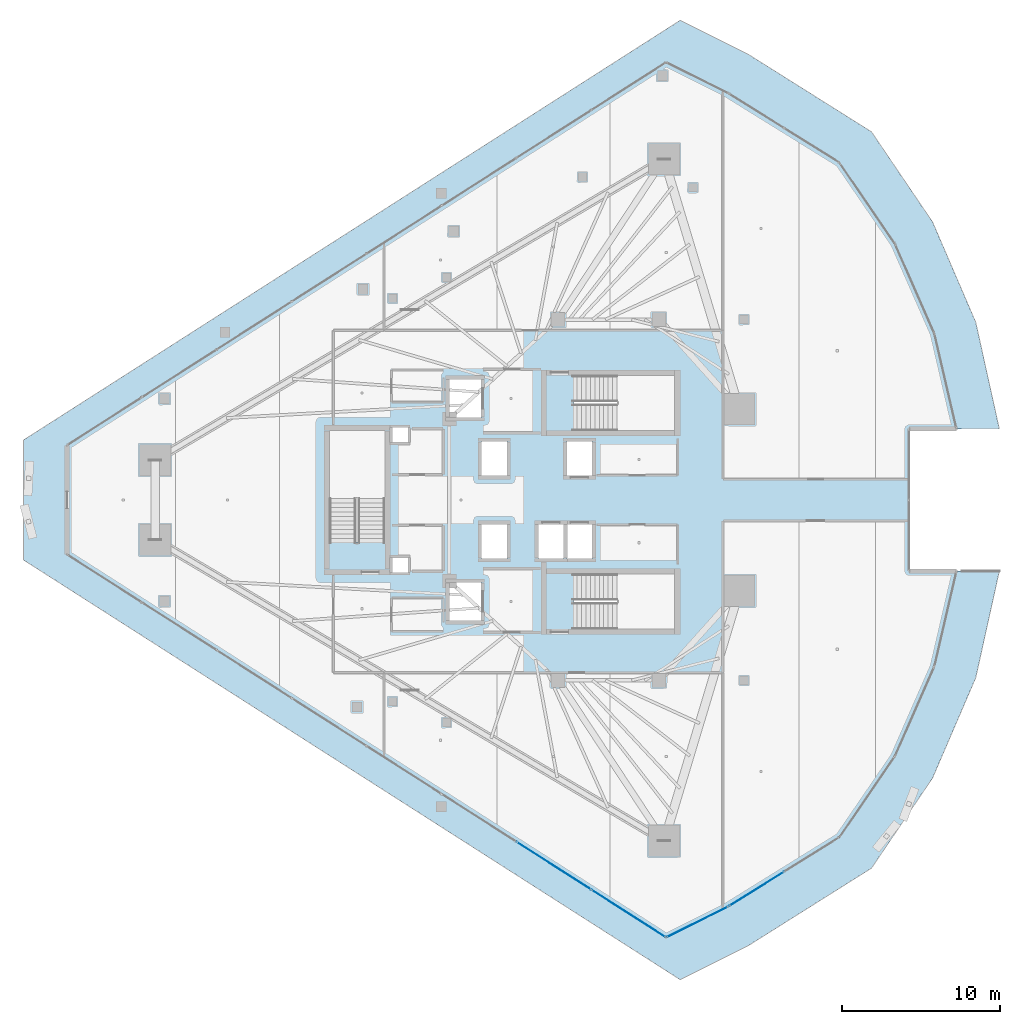
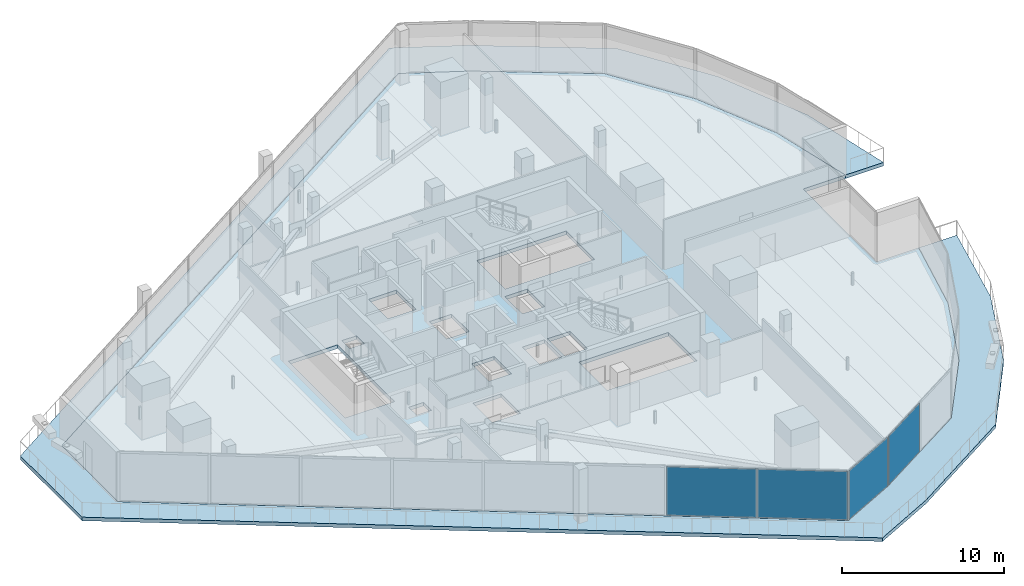
# One storey, part 25 of 39: 4 plates, 2 slabs, 3 elements without a shape of their own.
"""IFC4 building model written with IfcOpenShell, lengths in metres."""

from ifc_helpers import new_model, si_unit, direction, frame, origin, origin_2d, place, context, subcontext, project, spatial, polyline, rectangle, outline, extrude, material, layer, layer_set, type_object, element, aggregate, save


model = new_model("IFC4")

# Units and contexts
model_context = context("Model", 3, precision=1e-05, world=origin(), true_north=direction((0.0, 1.0)))
body_context = subcontext(model_context, "Body", "Model", "MODEL_VIEW")
ifc_project = project(units=[si_unit("LENGTHUNIT", "METRE"), si_unit("AREAUNIT", "SQUARE_METRE"), si_unit("VOLUMEUNIT", "CUBIC_METRE"), si_unit("PLANEANGLEUNIT", "RADIAN"), si_unit("MASSUNIT", "GRAM", prefix="KILO")], contexts=[model_context])

# Site, building, storey
site_placement = place(None, origin())
site = spatial("IfcSite", under=ifc_project, at=site_placement, CompositionType="ELEMENT")
building_placement = place(site_placement, origin())
building = spatial("IfcBuilding", under=site, at=building_placement, Name="Qorvath Tower", CompositionType="ELEMENT")
storey_placement = place(building_placement, frame((0.0, 0.0, 201.0)))
storey = spatial("IfcBuildingStorey", under=building, at=storey_placement, Name="L46", CompositionType="ELEMENT", Elevation=201.0)

# Curtain wall, plates
ifc_material_1 = material(Name="Anodised aluminium and triple low-E glass", Category="aluminium")
ifc_layer_1 = layer(ifc_material_1, 0.179931640625)
ifc_layer_set_1 = layer_set([ifc_layer_1], Name="CW-SYS-3")
curtain_wall_type = type_object("IfcCurtainWallType", Name="CW-SYS-3", PredefinedType="NOTDEFINED", material=ifc_layer_set_1)
curtain_wall_1_placement = place(storey_placement, origin())
curtain_wall_1 = element("IfcCurtainWall", 1, at=curtain_wall_1_placement, inside=storey, type_object=curtain_wall_type, Name="Curtain Wall CW-3 CW-T-L46-2.1", PredefinedType="NOTDEFINED")
ifc_material_2 = material(Name="Low-E triple insulated glass", Category="glass")
ifc_layer_2 = layer(ifc_material_2, 0.031982421875)
ifc_layer_set_2 = layer_set([ifc_layer_2], Name="CWP-GLZ-32")
plate_type = type_object("IfcPlateType", Name="CWP-GLZ-32", PredefinedType="CURTAIN_PANEL", material=ifc_layer_set_2)
plate_1_placement = place(storey_placement, frame((-23.87158203125, -23.21484375, 0.06494140625), z_axis=(0.0, 0.0, 1.0), x_axis=(0.842604020948, -0.538533623725, 0.0)))
plate_1 = element("IfcPlate", 2, at=plate_1_placement, type_object=plate_type, Name="CW-3 panel 7.1", PredefinedType="CURTAIN_PANEL", context=body_context, shape_type="SweptSolid", body=[
    extrude(rectangle(XDim=5.5751953125, YDim=0.031982421875, at=origin_2d()), origin(), (0.0, 0.0, 1.0), 3.64990234375),
])
plate_2_placement = place(storey_placement, frame((-19.1328125, -26.243408203125, 0.06494140625), z_axis=(0.0, 0.0, 1.0), x_axis=(0.842604020948, -0.538533623725, 0.0)))
plate_2 = element("IfcPlate", 3, at=plate_2_placement, type_object=plate_type, Name="CW-3 panel 8.1", PredefinedType="CURTAIN_PANEL", context=body_context, shape_type="SweptSolid", body=[
    extrude(rectangle(XDim=5.542724609375, YDim=0.031982421875, at=origin_2d()), origin(), (0.0, 0.0, 1.0), 3.64990234375),
])
aggregate(curtain_wall_1, [plate_1, plate_2])

# Curtain wall, plate
curtain_wall_2_placement = place(storey_placement, origin())
curtain_wall_2 = element("IfcCurtainWall", 4, at=curtain_wall_2_placement, inside=storey, type_object=curtain_wall_type, Name="Curtain Wall CW-3 CW-T-L46-3.1", PredefinedType="NOTDEFINED")
plate_3_placement = place(storey_placement, frame((-14.75927734375, -26.779296875, 0.06494140625), z_axis=(0.0, 0.0, 1.0), x_axis=(0.894431699973, 0.44720457744, 0.0)))
plate_3 = element("IfcPlate", 5, at=plate_3_placement, type_object=plate_type, Name="CW-3 panel 1.1", PredefinedType="CURTAIN_PANEL", context=body_context, shape_type="SweptSolid", body=[
    extrude(rectangle(XDim=4.3056640625, YDim=0.031982421875, at=origin_2d()), origin(), (0.0, 0.0, 1.0), 3.64990234375),
])
aggregate(curtain_wall_2, [plate_3])

curtain_wall_3_placement = place(storey_placement, origin())
curtain_wall_3 = element("IfcCurtainWall", 6, at=curtain_wall_3_placement, inside=storey, type_object=curtain_wall_type, Name="Curtain Wall CW-3 CW-T-L46-4.1", PredefinedType="NOTDEFINED")
plate_4_placement = place(storey_placement, frame((-11.000732421875, -24.680419921875, 0.06494140625), z_axis=(0.0, 0.0, 1.0), x_axis=(0.848493264618, 0.529206179006, 0.0)))
plate_4 = element("IfcPlate", 7, at=plate_4_placement, type_object=plate_type, Name="CW-3 panel 1.1", PredefinedType="CURTAIN_PANEL", context=body_context, shape_type="SweptSolid", body=[
    extrude(rectangle(XDim=4.0537109375, YDim=0.031982421875, at=origin_2d()), origin(), (0.0, 0.0, 1.0), 3.64990234375),
])
aggregate(curtain_wall_3, [plate_4])

# Slabs
ifc_material_3 = material(Name="Precast concrete C45/55", Category="concrete")
ifc_layer_3 = layer(ifc_material_3, 0.27001953125)
ifc_layer_set_3 = layer_set([ifc_layer_3], Name="SL-LOG-270")
slab_type_1 = type_object("IfcSlabType", Name="SL-LOG-270", PredefinedType="FLOOR", material=ifc_layer_set_3)
slab_1_placement = place(storey_placement, frame((0.0, 0.0, -0.27001953125)))
element("IfcSlab", 8, at=slab_1_placement, inside=storey, type_object=slab_type_1, Name="Tower L46 Perimeter Loggia and Terrace Slab", PredefinedType="FLOOR", context=body_context, shape_type="SweptSolid", body=[
    extrude(outline(polyline([(1.68408203125, -4.519775390625), (0.27783203125, -10.57373046875), (-2.22265625, -16.263671875), (-5.731201171875, -21.393798828125), (-12.775634765625, -25.787353515625), (-16.742919921875, -27.77099609375), (-54.7626953125, -3.471435546875), (-54.7626953125, 3.471435546875), (-16.742919921875, 27.77099609375), (-12.775634765625, 25.787353515625), (-5.731201171875, 21.393798828125), (-2.22265625, 16.263671875), (0.27783203125, 10.57373046875), (1.68408203125, 4.519775390625), (4.400390625, 4.519775390625), (2.90478515625, 11.277587890625), (0.16748046875, 17.634521484375), (-3.714111328125, 23.364990234375), (-11.505126953125, 28.264892578125), (-15.853515625, 30.439208984375), (-57.5263671875, 3.804931640625), (-57.5263671875, -3.804931640625), (-15.853515625, -30.439208984375), (-11.505126953125, -28.264892578125), (-3.714111328125, -23.364990234375), (0.16748046875, -17.634521484375), (2.90478515625, -11.277587890625), (4.400390625, -4.519775390625), (1.68408203125, -4.519775390625)])), origin(), (0.0, 0.0, 1.0), 0.27001953125),
])
ifc_material_4 = material(Name="Concrete C45/55", Category="concrete")
ifc_layer_4 = layer(ifc_material_4, 0.27001953125)
ifc_layer_set_4 = layer_set([ifc_layer_4], Name="SL-MID-270")
slab_type_2 = type_object("IfcSlabType", Name="SL-MID-270", PredefinedType="FLOOR", material=ifc_layer_set_4)
slab_2_placement = place(storey_placement, frame((0.0, 0.0, -0.27001953125)))
element("IfcSlab", 9, at=slab_2_placement, inside=storey, type_object=slab_type_2, Name="Tower L46 Interior Floor Slab", PredefinedType="FLOOR", context=body_context, shape_type="SweptSolid", body=[
    extrude(outline(polyline([(-54.7626953125, 3.471435546875), (-54.7626953125, -3.471435546875), (-16.742919921875, -27.77099609375), (-12.775634765625, -25.787353515625), (-5.731201171875, -21.393798828125), (-2.22265625, -16.263671875), (0.27783203125, -10.57373046875), (1.68408203125, -4.519775390625), (-1.3291015625, -4.519775390625), (-1.3291015625, 4.519775390625), (1.68408203125, 4.519775390625), (0.27783203125, 10.57373046875), (-2.22265625, 16.263671875), (-5.731201171875, 21.393798828125), (-12.775634765625, 25.787353515625), (-16.742919921875, 27.77099609375), (-54.7626953125, 3.471435546875)]), holes=[polyline([(-16.2451171875, -8.199951171875), (-22.625, -8.199951171875), (-22.625, -4.68994140625), (-16.2451171875, -4.68994140625), (-16.2451171875, -8.199951171875)]), polyline([(-22.625, 4.39990234375), (-22.625, 7.909912109375), (-16.2451171875, 7.909912109375), (-16.2451171875, 4.39990234375), (-22.625, 4.39990234375)]), polyline([(-21.449951171875, -3.699951171875), (-23.050048828125, -3.699951171875), (-23.050048828125, -1.550048828125), (-21.449951171875, -1.550048828125), (-21.449951171875, -3.699951171875)]), polyline([(-23.050048828125, 1.550048828125), (-23.050048828125, 3.699951171875), (-21.449951171875, 3.699951171875), (-21.449951171875, 1.550048828125), (-23.050048828125, 1.550048828125)]), polyline([(-24.85009765625, -3.699951171875), (-24.85009765625, -1.550048828125), (-23.25, -1.550048828125), (-23.25, -3.699951171875), (-24.85009765625, -3.699951171875)]), polyline([(-28.449951171875, -3.699951171875), (-28.449951171875, -1.550048828125), (-26.85009765625, -1.550048828125), (-26.85009765625, -3.699951171875), (-28.449951171875, -3.699951171875)]), polyline([(-26.85009765625, 1.550048828125), (-28.449951171875, 1.550048828125), (-28.449951171875, 3.699951171875), (-26.85009765625, 3.699951171875), (-26.85009765625, 1.550048828125)]), polyline([(-28.5, -7.64990234375), (-30.5, -7.64990234375), (-30.5, -5.25), (-28.5, -5.25), (-28.5, -7.64990234375)]), polyline([(-30.5, 5.25), (-30.5, 7.64990234375), (-28.5, 7.64990234375), (-28.5, 5.25), (-30.5, 5.25)]), polyline([(-34.14990234375, -4.6201171875), (-34.14990234375, -3.64990234375), (-33.10009765625, -3.64990234375), (-33.10009765625, -4.6201171875), (-34.14990234375, -4.6201171875)]), polyline([(-34.14990234375, 3.64990234375), (-34.14990234375, 4.6201171875), (-33.10009765625, 4.6201171875), (-33.10009765625, 3.64990234375), (-34.14990234375, 3.64990234375)]), polyline([(-34.60009765625, -2.675048828125), (-38.110107421875, -2.675048828125), (-38.110107421875, 4.35498046875), (-34.60009765625, 4.35498046875), (-34.60009765625, -2.675048828125)])]), origin(), (0.0, 0.0, 1.0), 0.27001953125),
])

save(model, "model.ifc")
